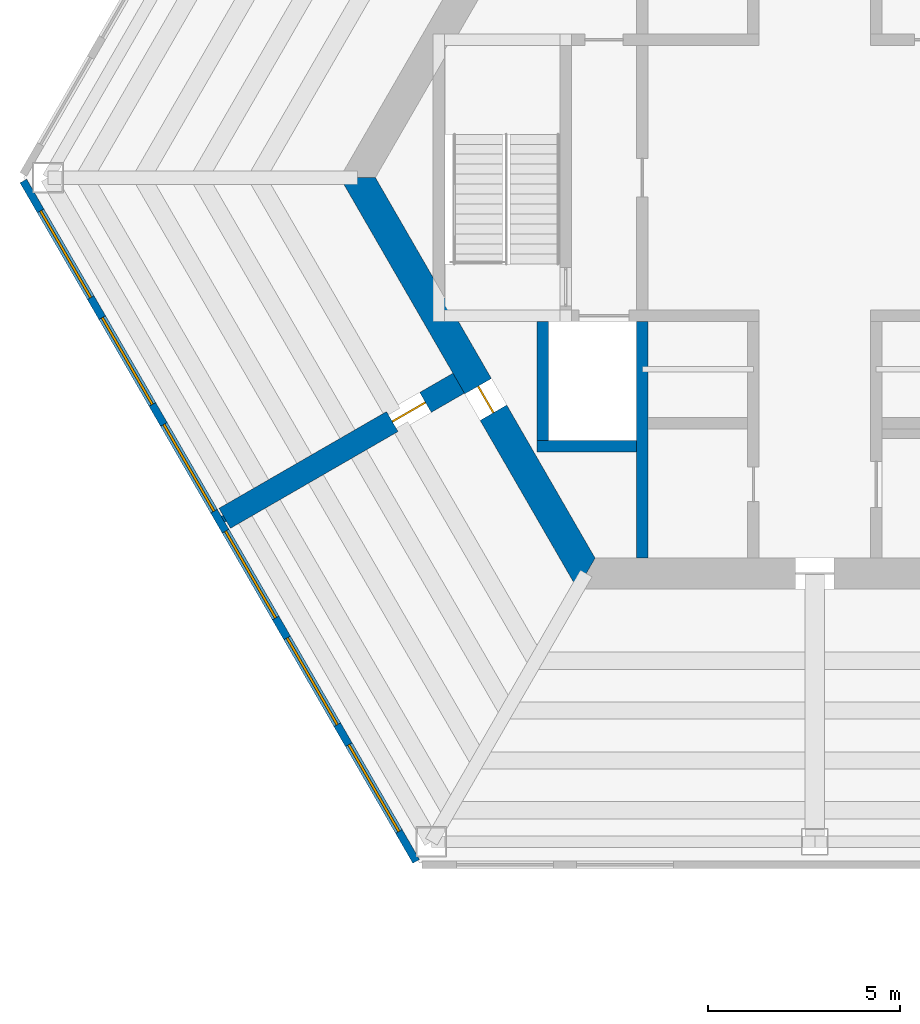
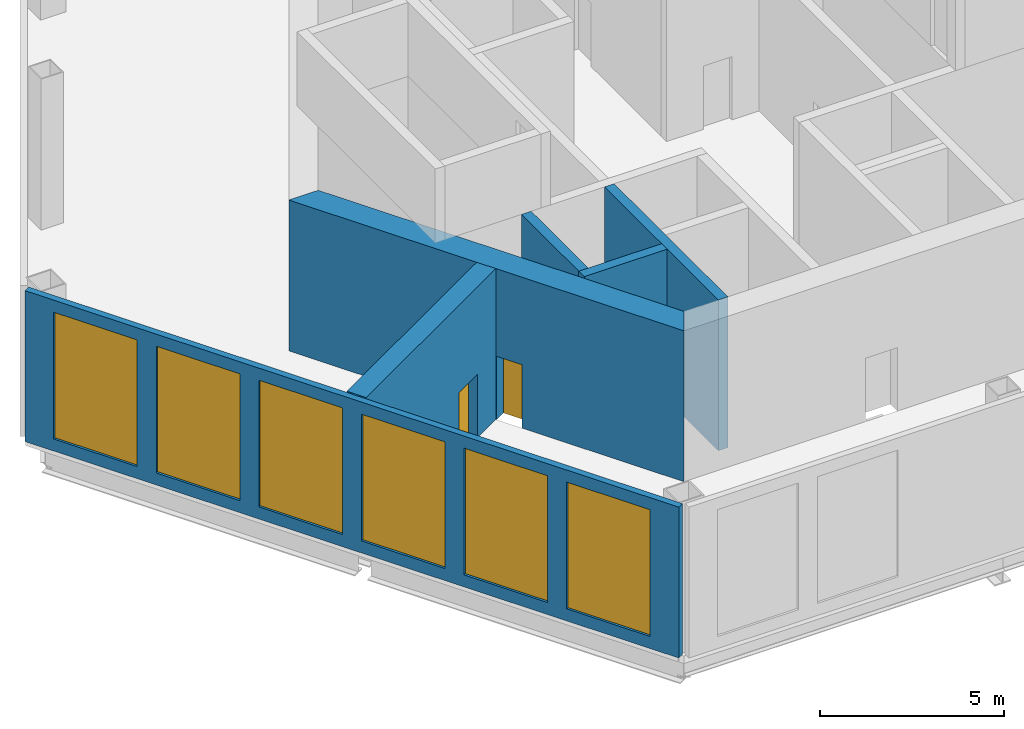
# One storey, part 3 of 8: 7 walls, 6 windows, 2 doors, 8 openings.
"""IFC4 building model written with IfcOpenShell, lengths in metres."""

from ifc_helpers import new_model, si_unit, direction, frame, frame_2d, origin, place, context, subcontext, project, spatial, polyline, rectangle, outline, extrude, material, layer, layer_set, type_object, element, fill, save


model = new_model("IFC4")

# Units and contexts
model_context = context("Model", 3, precision=1e-05, world=origin(), true_north=direction((0.0, 1.0)))
body_context = subcontext(model_context, "Body", "Model", "MODEL_VIEW")
ifc_project = project(units=[si_unit("LENGTHUNIT", "METRE"), si_unit("AREAUNIT", "SQUARE_METRE"), si_unit("VOLUMEUNIT", "CUBIC_METRE"), si_unit("PLANEANGLEUNIT", "RADIAN"), si_unit("MASSUNIT", "GRAM", prefix="KILO")], contexts=[model_context])

# Site, building, storey
site_placement = place(None, origin())
site = spatial("IfcSite", under=ifc_project, at=site_placement, CompositionType="ELEMENT")
building_placement = place(site_placement, origin())
building = spatial("IfcBuilding", under=site, at=building_placement, Name="Kasaneha Research Tower", CompositionType="ELEMENT")
storey_placement = place(building_placement, frame((0.0, 0.0, 302.5)))
storey = spatial("IfcBuildingStorey", under=building, at=storey_placement, Name="L76", CompositionType="ELEMENT", Elevation=302.5)

# Walls
ifc_material_1 = material(Name="Concrete Fc60", Category="concrete")
ifc_layer_1 = layer(ifc_material_1, 0.300048828125)
ifc_layer_set_1 = layer_set([ifc_layer_1], Name="Core internal wall 300 Fc60")
wall_type_1 = type_object("IfcWallType", Name="Core internal wall 300 Fc60", PredefinedType="SHEAR", material=ifc_layer_set_1)
wall_1_placement = place(storey_placement, frame((-4.5, -3.75, 0.0), z_axis=(0.0, 0.0, 1.0), x_axis=(0.0, -1.0, 0.0)))
element("IfcWall", 1, at=wall_1_placement, inside=storey, type_object=wall_type_1, Name="Core wall SSW L76", PredefinedType="SHEAR", context=body_context, shape_type="SweptSolid", body=[
    extrude(rectangle(XDim=6.175048828125, YDim=0.300048828125, at=frame_2d((3.08740234375, 0.0))), origin(), (0.0, 0.0, 1.0), 5.0),
])
wall_2_placement = place(storey_placement, frame((-7.25, -7.0, 0.0), z_axis=(0.0, 0.0, 1.0), x_axis=(1.0, 0.0, 0.0)))
element("IfcWall", 2, at=wall_2_placement, inside=storey, type_object=wall_type_1, Name="Core wall F2S L76", PredefinedType="SHEAR", context=body_context, shape_type="SweptSolid", body=[
    extrude(rectangle(XDim=2.60009765625, YDim=0.300048828125, at=frame_2d((1.300048828125, 0.0))), origin(), (0.0, 0.0, 1.0), 5.0),
])
wall_3_placement = place(storey_placement, frame((-7.10009765625, -3.75, 0.0), z_axis=(0.0, 0.0, 1.0), x_axis=(0.0, -1.0, 0.0)))
element("IfcWall", 3, at=wall_3_placement, inside=storey, type_object=wall_type_1, Name="Core wall F2W L76", PredefinedType="SHEAR", context=body_context, shape_type="SweptSolid", body=[
    extrude(rectangle(XDim=3.10009765625, YDim=0.300048828125, at=frame_2d((1.550048828125, 0.0))), origin(), (0.0, 0.0, 1.0), 5.0),
])

# Wall, opening, door
ifc_material_2 = material(Name="Concrete Fc60", Category="concrete")
ifc_layer_2 = layer(ifc_material_2, 0.800048828125)
ifc_layer_set_2 = layer_set([ifc_layer_2], Name="Core wall 800 Fc60")
wall_type_2 = type_object("IfcWallType", Name="Core wall 800 Fc60", PredefinedType="SHEAR", material=ifc_layer_set_2)
wall_4_placement = place(storey_placement, frame((-11.92236328125, 0.0, 0.0), z_axis=(0.0, 0.0, 1.0), x_axis=(0.500004296715, -0.866022923061, 0.0)))
wall_4 = element("IfcWall", 4, at=wall_4_placement, inside=storey, type_object=wall_type_2, Name="Core wall 210 L76", PredefinedType="SHEAR", context=body_context, shape_type="SweptSolid", body=[
    extrude(outline(polyline([(-0.23095703125, -0.39990234375), (6.28125, -0.39990234375), (7.081298828125, -0.39990234375), (12.1533203125, -0.39990234375), (11.69140625, 0.39990234375), (7.081298828125, 0.39990234375), (6.28125, 0.39990234375), (0.23095703125, 0.39990234375), (-0.23095703125, -0.39990234375)])), origin(), (0.0, 0.0, 1.0), 5.0),
])
opening_1_placement = place(wall_4_placement, frame((6.28125, 0.0, 0.0)))
opening_1 = element("IfcOpeningElement", 5, at=opening_1_placement, cuts=wall_4, Name="Opening L76-D06", PredefinedType="OPENING", context=body_context, shape_type="SweptSolid", body=[
    extrude(rectangle(XDim=0.800048828125, YDim=2.10009765625, at=frame_2d((0.39990234375, 1.050048828125))), frame((0.0, 0.41015625, 0.0), z_axis=(0.0, -1.0, 0.0), x_axis=(1.0, 0.0, 0.0)), (0.0, 0.0, 1.0), 0.820068359375),
])
ifc_material_3 = material(Name="Steel", Category="steel")
door_type_1 = type_object("IfcDoorType", Name="Riser access door FD60 800x2100", OperationType="NOTDEFINED", PredefinedType="DOOR", material=ifc_material_3)
door_1_placement = place(opening_1_placement, origin())
door_1 = element("IfcDoor", 6, at=door_1_placement, inside=storey, type_object=door_type_1, Name="Duct riser door L76-D06", OperationType="SINGLE_SWING_LEFT", OverallHeight=2.10009765625, OverallWidth=0.800048828125, PredefinedType="DOOR", context=body_context, shape_type="SweptSolid", body=[
    extrude(rectangle(XDim=0.800048828125, YDim=2.10009765625, at=frame_2d((0.39990234375, 1.050048828125))), frame((0.0, 0.02490234375, 0.0), z_axis=(0.0, -1.0, 0.0), x_axis=(1.0, 0.0, 0.0)), (0.0, 0.0, 1.0), 0.050048828125),
])
fill(opening_1, door_1)

# Wall, openings, windows
ifc_material_4 = material(Name="Terracotta cladding on steel frame", Category="masonry")
ifc_layer_3 = layer(ifc_material_4, 0.199951171875)
ifc_layer_set_3 = layer_set([ifc_layer_3], Name="Louvred plant wall 200")
wall_type_3 = type_object("IfcWallType", Name="Louvred plant wall 200", PredefinedType="ELEMENTEDWALL", material=ifc_layer_set_3)
wall_5_placement = place(storey_placement, frame((-20.642822265625, -0.086669921875, 0.0), z_axis=(0.0, 0.0, 1.0), x_axis=(0.499997112899, -0.866027070647, 0.0)))
wall_5 = element("IfcWall", 7, at=wall_5_placement, inside=storey, type_object=wall_type_3, Name="Louvred plant wall L76", PredefinedType="ELEMENTEDWALL", context=body_context, shape_type="SweptSolid", body=[
    extrude(rectangle(XDim=20.49267578125, YDim=0.199951171875, at=frame_2d((10.246337890625, 0.0))), origin(), (0.0, 0.0, 1.0), 5.0),
])
opening_2_placement = place(wall_5_placement, frame((0.89990234375, 0.0, 0.39990234375)))
opening_2 = element("IfcOpeningElement", 8, at=opening_2_placement, cuts=wall_5, Name="Opening LV7", PredefinedType="OPENING", context=body_context, shape_type="SweptSolid", body=[
    extrude(rectangle(XDim=2.615478515625, YDim=4.199951171875, at=frame_2d((1.3076171875, 2.10009765625))), frame((0.0, 0.10986328125, 0.0), z_axis=(0.0, -1.0, 0.0), x_axis=(1.0, 0.0, 0.0)), (0.0, 0.0, 1.0), 0.219970703125),
])
opening_3_placement = place(wall_5_placement, frame((4.115478515625, 0.0, 0.39990234375)))
opening_3 = element("IfcOpeningElement", 9, at=opening_3_placement, cuts=wall_5, Name="Opening LV7", PredefinedType="OPENING", context=body_context, shape_type="SweptSolid", body=[
    extrude(rectangle(XDim=2.615478515625, YDim=4.199951171875, at=frame_2d((1.3076171875, 2.10009765625))), frame((0.0, 0.10986328125, 0.0), z_axis=(0.0, -1.0, 0.0), x_axis=(1.0, 0.0, 0.0)), (0.0, 0.0, 1.0), 0.219970703125),
])
opening_4_placement = place(wall_5_placement, frame((7.3310546875, 0.0, 0.39990234375)))
opening_4 = element("IfcOpeningElement", 10, at=opening_4_placement, cuts=wall_5, Name="Opening LV7", PredefinedType="OPENING", context=body_context, shape_type="SweptSolid", body=[
    extrude(rectangle(XDim=2.615478515625, YDim=4.199951171875, at=frame_2d((1.3076171875, 2.10009765625))), frame((0.0, 0.10986328125, 0.0), z_axis=(0.0, -1.0, 0.0), x_axis=(1.0, 0.0, 0.0)), (0.0, 0.0, 1.0), 0.219970703125),
])
opening_5_placement = place(wall_5_placement, frame((10.54638671875, 0.0, 0.39990234375)))
opening_5 = element("IfcOpeningElement", 11, at=opening_5_placement, cuts=wall_5, Name="Opening LV7", PredefinedType="OPENING", context=body_context, shape_type="SweptSolid", body=[
    extrude(rectangle(XDim=2.615478515625, YDim=4.199951171875, at=frame_2d((1.3076171875, 2.10009765625))), frame((0.0, 0.10986328125, 0.0), z_axis=(0.0, -1.0, 0.0), x_axis=(1.0, 0.0, 0.0)), (0.0, 0.0, 1.0), 0.219970703125),
])
opening_6_placement = place(wall_5_placement, frame((13.761962890625, 0.0, 0.39990234375)))
opening_6 = element("IfcOpeningElement", 12, at=opening_6_placement, cuts=wall_5, Name="Opening LV7", PredefinedType="OPENING", context=body_context, shape_type="SweptSolid", body=[
    extrude(rectangle(XDim=2.615478515625, YDim=4.199951171875, at=frame_2d((1.3076171875, 2.10009765625))), frame((0.0, 0.10986328125, 0.0), z_axis=(0.0, -1.0, 0.0), x_axis=(1.0, 0.0, 0.0)), (0.0, 0.0, 1.0), 0.219970703125),
])
opening_7_placement = place(wall_5_placement, frame((16.977294921875, 0.0, 0.39990234375)))
opening_7 = element("IfcOpeningElement", 13, at=opening_7_placement, cuts=wall_5, Name="Opening LV7", PredefinedType="OPENING", context=body_context, shape_type="SweptSolid", body=[
    extrude(rectangle(XDim=2.615478515625, YDim=4.199951171875, at=frame_2d((1.3076171875, 2.10009765625))), frame((0.0, 0.10986328125, 0.0), z_axis=(0.0, -1.0, 0.0), x_axis=(1.0, 0.0, 0.0)), (0.0, 0.0, 1.0), 0.219970703125),
])
ifc_material_5 = material(Name="Aluminium 6063-T6", Category="aluminium")
window_type = type_object("IfcWindowType", Name="Louvre 2615x4200", PartitioningType="SINGLE_PANEL", PredefinedType="USERDEFINED", material=ifc_material_5)
window_1_placement = place(opening_2_placement, origin())
window_1 = element("IfcWindow", 14, at=window_1_placement, inside=storey, type_object=window_type, Name="Plant louvre L76 1", ObjectType="LOUVRE", OverallHeight=4.199951171875, OverallWidth=2.615478515625, PartitioningType="SINGLE_PANEL", PredefinedType="USERDEFINED", context=body_context, shape_type="SweptSolid", body=[
    extrude(rectangle(XDim=2.615478515625, YDim=4.199951171875, at=frame_2d((1.3076171875, 2.10009765625))), frame((0.0, 0.030029296875, 0.0), z_axis=(0.0, -1.0, 0.0), x_axis=(1.0, 0.0, 0.0)), (0.0, 0.0, 1.0), 0.06005859375),
])
fill(opening_2, window_1)
window_2_placement = place(opening_3_placement, origin())
window_2 = element("IfcWindow", 15, at=window_2_placement, inside=storey, type_object=window_type, Name="Plant louvre L76 2", ObjectType="LOUVRE", OverallHeight=4.199951171875, OverallWidth=2.615478515625, PartitioningType="SINGLE_PANEL", PredefinedType="USERDEFINED", context=body_context, shape_type="SweptSolid", body=[
    extrude(rectangle(XDim=2.615478515625, YDim=4.199951171875, at=frame_2d((1.3076171875, 2.10009765625))), frame((0.0, 0.030029296875, 0.0), z_axis=(0.0, -1.0, 0.0), x_axis=(1.0, 0.0, 0.0)), (0.0, 0.0, 1.0), 0.06005859375),
])
fill(opening_3, window_2)
window_3_placement = place(opening_4_placement, origin())
window_3 = element("IfcWindow", 16, at=window_3_placement, inside=storey, type_object=window_type, Name="Plant louvre L76 3", ObjectType="LOUVRE", OverallHeight=4.199951171875, OverallWidth=2.615478515625, PartitioningType="SINGLE_PANEL", PredefinedType="USERDEFINED", context=body_context, shape_type="SweptSolid", body=[
    extrude(rectangle(XDim=2.615478515625, YDim=4.199951171875, at=frame_2d((1.3076171875, 2.10009765625))), frame((0.0, 0.030029296875, 0.0), z_axis=(0.0, -1.0, 0.0), x_axis=(1.0, 0.0, 0.0)), (0.0, 0.0, 1.0), 0.06005859375),
])
fill(opening_4, window_3)
window_4_placement = place(opening_5_placement, origin())
window_4 = element("IfcWindow", 17, at=window_4_placement, inside=storey, type_object=window_type, Name="Plant louvre L76 4", ObjectType="LOUVRE", OverallHeight=4.199951171875, OverallWidth=2.615478515625, PartitioningType="SINGLE_PANEL", PredefinedType="USERDEFINED", context=body_context, shape_type="SweptSolid", body=[
    extrude(rectangle(XDim=2.615478515625, YDim=4.199951171875, at=frame_2d((1.3076171875, 2.10009765625))), frame((0.0, 0.030029296875, 0.0), z_axis=(0.0, -1.0, 0.0), x_axis=(1.0, 0.0, 0.0)), (0.0, 0.0, 1.0), 0.06005859375),
])
fill(opening_5, window_4)
window_5_placement = place(opening_6_placement, origin())
window_5 = element("IfcWindow", 18, at=window_5_placement, inside=storey, type_object=window_type, Name="Plant louvre L76 5", ObjectType="LOUVRE", OverallHeight=4.199951171875, OverallWidth=2.615478515625, PartitioningType="SINGLE_PANEL", PredefinedType="USERDEFINED", context=body_context, shape_type="SweptSolid", body=[
    extrude(rectangle(XDim=2.615478515625, YDim=4.199951171875, at=frame_2d((1.3076171875, 2.10009765625))), frame((0.0, 0.030029296875, 0.0), z_axis=(0.0, -1.0, 0.0), x_axis=(1.0, 0.0, 0.0)), (0.0, 0.0, 1.0), 0.06005859375),
])
fill(opening_6, window_5)
window_6_placement = place(opening_7_placement, origin())
window_6 = element("IfcWindow", 19, at=window_6_placement, inside=storey, type_object=window_type, Name="Plant louvre L76 6", ObjectType="LOUVRE", OverallHeight=4.199951171875, OverallWidth=2.615478515625, PartitioningType="SINGLE_PANEL", PredefinedType="USERDEFINED", context=body_context, shape_type="SweptSolid", body=[
    extrude(rectangle(XDim=2.615478515625, YDim=4.199951171875, at=frame_2d((1.3076171875, 2.10009765625))), frame((0.0, 0.030029296875, 0.0), z_axis=(0.0, -1.0, 0.0), x_axis=(1.0, 0.0, 0.0)), (0.0, 0.0, 1.0), 0.06005859375),
])
fill(opening_7, window_6)

# Wall, opening, door
ifc_material_6 = material(Name="Concrete Fc60", Category="concrete")
ifc_layer_4 = layer(ifc_material_6, 0.60009765625)
ifc_layer_set_4 = layer_set([ifc_layer_4], Name="Spine wall 600 Fc60")
wall_type_4 = type_object("IfcWallType", Name="Spine wall 600 Fc60", PredefinedType="SHEAR", material=ifc_layer_set_4)
wall_6_placement = place(storey_placement, frame((-9.2880859375, -5.362548828125, 0.0), z_axis=(0.0, 0.0, 1.0), x_axis=(-0.866027473358, -0.499996415376, 0.0)))
wall_6 = element("IfcWall", 20, at=wall_6_placement, inside=storey, type_object=wall_type_4, Name="Spine wall B L76", PredefinedType="SHEAR", context=body_context, shape_type="SweptSolid", body=[
    extrude(rectangle(XDim=7.04541015625, YDim=0.60009765625, at=frame_2d((3.522705078125, 0.0))), origin(), (0.0, 0.0, 1.0), 5.0),
])
opening_8_placement = place(wall_6_placement, frame((1.0, 0.0, 0.0)))
opening_8 = element("IfcOpeningElement", 21, at=opening_8_placement, cuts=wall_6, Name="Opening L76-D19", PredefinedType="OPENING", context=body_context, shape_type="SweptSolid", body=[
    extrude(rectangle(XDim=1.0, YDim=2.10009765625, at=frame_2d((0.5, 1.050048828125))), frame((0.0, 0.31005859375, 0.0), z_axis=(0.0, -1.0, 0.0), x_axis=(1.0, 0.0, 0.0)), (0.0, 0.0, 1.0), 0.6201171875),
])
ifc_material_7 = material(Name="Steel", Category="steel")
door_type_2 = type_object("IfcDoorType", Name="Specified fire door FD60 1000x2100", OperationType="NOTDEFINED", PredefinedType="DOOR", material=ifc_material_7)
door_2_placement = place(opening_8_placement, origin())
door_2 = element("IfcDoor", 22, at=door_2_placement, inside=storey, type_object=door_type_2, Name="Spine doorway B L76-D19", OperationType="SINGLE_SWING_LEFT", OverallHeight=2.10009765625, OverallWidth=1.0, PredefinedType="DOOR", context=body_context, shape_type="SweptSolid", body=[
    extrude(rectangle(XDim=1.0, YDim=2.10009765625, at=frame_2d((0.5, 1.050048828125))), frame((0.0, 0.02490234375, 0.0), z_axis=(0.0, -1.0, 0.0), x_axis=(1.0, 0.0, 0.0)), (0.0, 0.0, 1.0), 0.050048828125),
])
fill(opening_8, door_2)

# Wall
ifc_material_8 = material(Name="Gypsum board on steel studs, two layers each side", Category="steel")
ifc_layer_5 = layer(ifc_material_8, 0.175048828125)
ifc_layer_set_5 = layer_set([ifc_layer_5], Name="Tenancy fire partition 175")
wall_type_5 = type_object("IfcWallType", Name="Tenancy fire partition 175", PredefinedType="PARTITIONING", material=ifc_layer_set_5)
wall_7_placement = place(storey_placement, frame((-15.3896484375, -8.88525390625, 0.0), z_axis=(0.0, 0.0, 1.0), x_axis=(-0.865223694077, -0.501386038106, 0.0)))
element("IfcWall", 23, at=wall_7_placement, inside=storey, type_object=wall_type_5, Name="Spine wall closer SW4-600 L76", PredefinedType="PARTITIONING", context=body_context, shape_type="SweptSolid", body=[
    extrude(rectangle(XDim=0.054931640625, YDim=0.175048828125, at=frame_2d((0.02734375, 0.0))), origin(), (0.0, 0.0, 1.0), 5.0),
])

save(model, "model.ifc")
